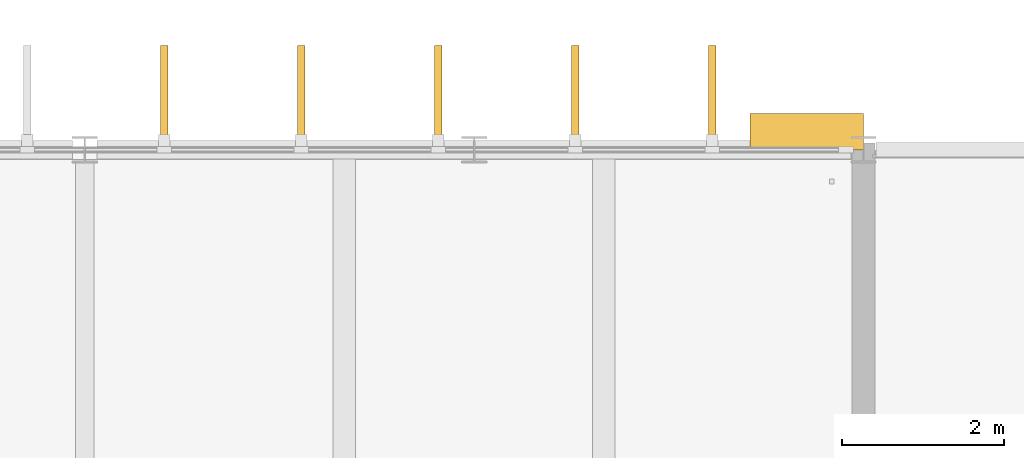
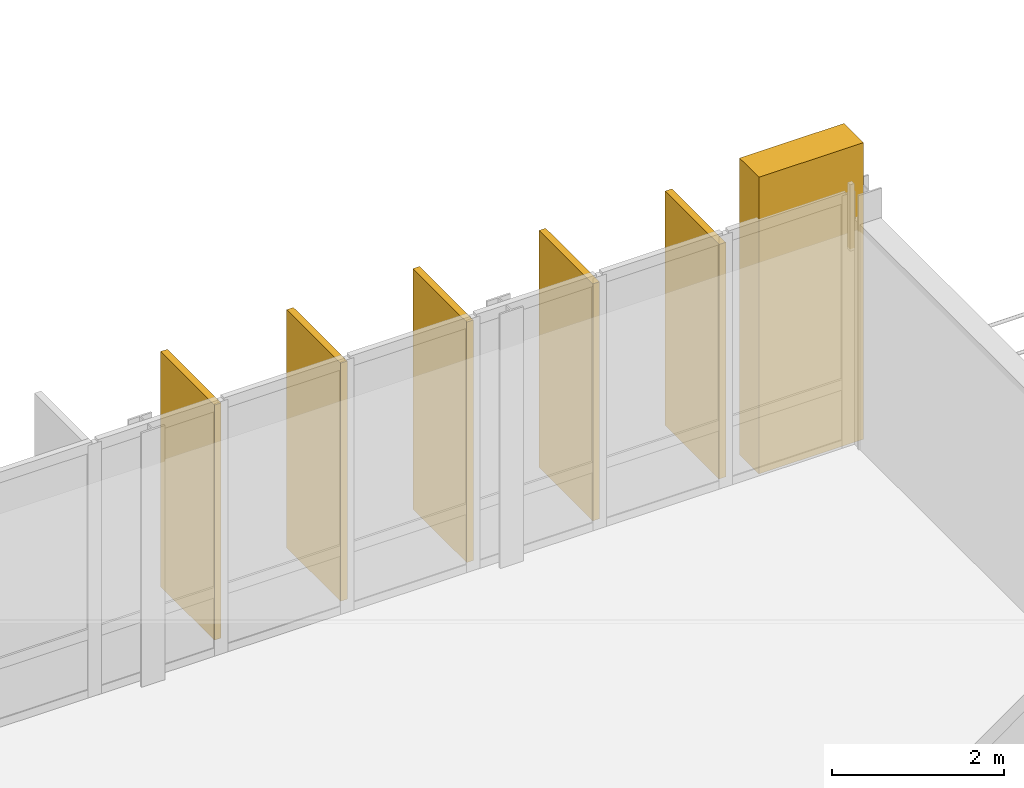
# One storey, part 22 of 22: 6 coverings.
"""IFC4 building model written with IfcOpenShell, lengths in metres."""

from ifc_helpers import new_model, si_unit, direction, frame, origin, origin_2d, place, context, subcontext, project, spatial, rectangle, extrude, material, layer, layer_set, type_object, element, save


model = new_model("IFC4")

# Units and contexts
model_context = context("Model", 3, precision=1e-05, world=origin(), true_north=direction((0.0, 1.0)))
body_context = subcontext(model_context, "Body", "Model", "MODEL_VIEW")
ifc_project = project(units=[si_unit("LENGTHUNIT", "METRE"), si_unit("AREAUNIT", "SQUARE_METRE"), si_unit("VOLUMEUNIT", "CUBIC_METRE"), si_unit("PLANEANGLEUNIT", "RADIAN"), si_unit("MASSUNIT", "GRAM", prefix="KILO")], contexts=[model_context])

# Site, building, storey
site_placement = place(None, origin())
site = spatial("IfcSite", under=ifc_project, at=site_placement, CompositionType="ELEMENT")
building_placement = place(site_placement, origin())
building = spatial("IfcBuilding", under=site, at=building_placement, Name="Dunescarp Central Library", CompositionType="ELEMENT")
storey_placement = place(building_placement, frame((0.0, 0.0, 27.60009765625)))
storey = spatial("IfcBuildingStorey", under=building, at=storey_placement, Name="L06", CompositionType="ELEMENT", Elevation=27.60009765625)

# Coverings
ifc_material = material(Name="Glass-fibre reinforced concrete GRC", Category="concrete")
ifc_layer_1 = layer(ifc_material, 0.090087890625)
ifc_layer_set_1 = layer_set([ifc_layer_1], Name="Glass-fibre reinforced concrete GRC")
covering_type_1 = type_object("IfcCoveringType", Name="ARC-COV-FIN1250", PredefinedType="CLADDING", material=ifc_layer_set_1)
covering_1_placement = place(storey_placement, frame((24.97900390625, 37.4619140625, 0.163330078125), z_axis=(0.0, 0.0, 1.0), x_axis=(0.0, 1.0, 0.0)))
element("IfcCovering", 1, at=covering_1_placement, inside=storey, type_object=covering_type_1, Name="L06 parametric vertical facade fin FIN-L06-0285", PredefinedType="CLADDING", context=body_context, shape_type="SweptSolid", body=[
    extrude(rectangle(XDim=1.25, YDim=0.090087890625, at=origin_2d()), origin(), (0.0, 0.0, 1.0), 3.3310546875),
])
covering_2_placement = place(storey_placement, frame((26.66796875, 37.4619140625, 0.122802734375), z_axis=(0.0, 0.0, 1.0), x_axis=(0.0, 1.0, 0.0)))
element("IfcCovering", 2, at=covering_2_placement, inside=storey, type_object=covering_type_1, Name="L06 parametric vertical facade fin FIN-L06-0286", PredefinedType="CLADDING", context=body_context, shape_type="SweptSolid", body=[
    extrude(rectangle(XDim=1.25, YDim=0.090087890625, at=origin_2d()), origin(), (0.0, 0.0, 1.0), 3.3720703125),
])
covering_3_placement = place(storey_placement, frame((28.35693359375, 37.4619140625, 0.080078125), z_axis=(0.0, 0.0, 1.0), x_axis=(0.0, 1.0, 0.0)))
element("IfcCovering", 3, at=covering_3_placement, inside=storey, type_object=covering_type_1, Name="L06 parametric vertical facade fin FIN-L06-0287", PredefinedType="CLADDING", context=body_context, shape_type="SweptSolid", body=[
    extrude(rectangle(XDim=1.25, YDim=0.090087890625, at=origin_2d()), origin(), (0.0, 0.0, 1.0), 3.404052734375),
])
covering_4_placement = place(storey_placement, frame((30.0458984375, 37.4619140625, 0.079833984375), z_axis=(0.0, 0.0, 1.0), x_axis=(0.0, 1.0, 0.0)))
element("IfcCovering", 4, at=covering_4_placement, inside=storey, type_object=covering_type_1, Name="L06 parametric vertical facade fin FIN-L06-0288", PredefinedType="CLADDING", context=body_context, shape_type="SweptSolid", body=[
    extrude(rectangle(XDim=1.25, YDim=0.090087890625, at=origin_2d()), origin(), (0.0, 0.0, 1.0), 3.35400390625),
])
covering_5_placement = place(storey_placement, frame((31.736083984375, 37.4619140625, 0.07958984375), z_axis=(0.0, 0.0, 1.0), x_axis=(0.0, 1.0, 0.0)))
element("IfcCovering", 5, at=covering_5_placement, inside=storey, type_object=covering_type_1, Name="L06 parametric vertical facade fin FIN-L06-0289", PredefinedType="CLADDING", context=body_context, shape_type="SweptSolid", body=[
    extrude(rectangle(XDim=1.25, YDim=0.090087890625, at=origin_2d()), origin(), (0.0, 0.0, 1.0), 3.321044921875),
])
ifc_layer_2 = layer(ifc_material, 0.449951171875)
ifc_layer_set_2 = layer_set([ifc_layer_2], Name="Glass-fibre reinforced concrete GRC")
covering_type_2 = type_object("IfcCoveringType", Name="ARC-COV-PORTAL", PredefinedType="CLADDING", material=ifc_layer_set_2)
covering_6_placement = place(storey_placement, frame((32.89990234375, 37.02001953125, 0.0), z_axis=(0.0, 0.0, 1.0), x_axis=(1.0, 0.0, 0.0)))
element("IfcCovering", 6, at=covering_6_placement, inside=storey, type_object=covering_type_2, Name="V1 sculpted GRC portal pier PRT-BAND-V1-108", PredefinedType="CLADDING", context=body_context, shape_type="SweptSolid", body=[
    extrude(rectangle(XDim=1.39990234375, YDim=0.449951171875, at=origin_2d()), origin(), (0.0, 0.0, 1.0), 4.199951171875),
])

save(model, "model.ifc")
